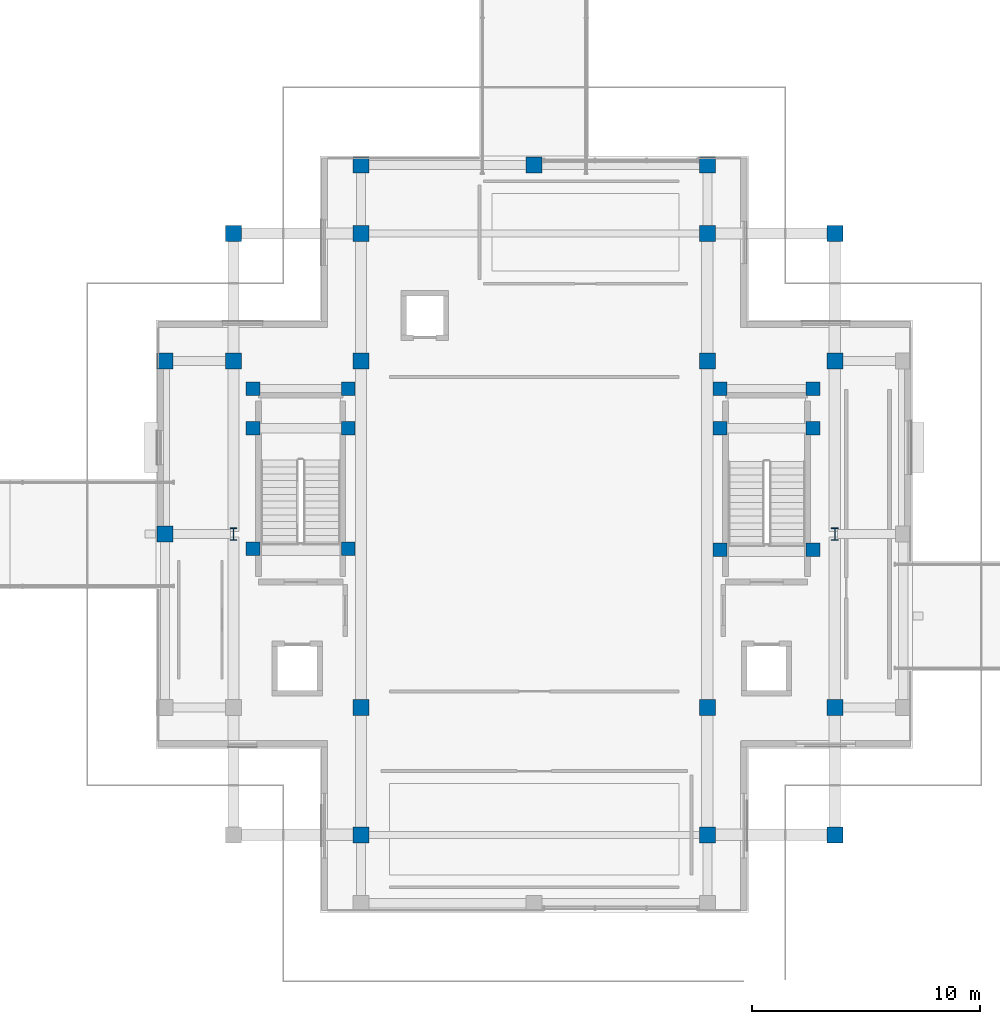
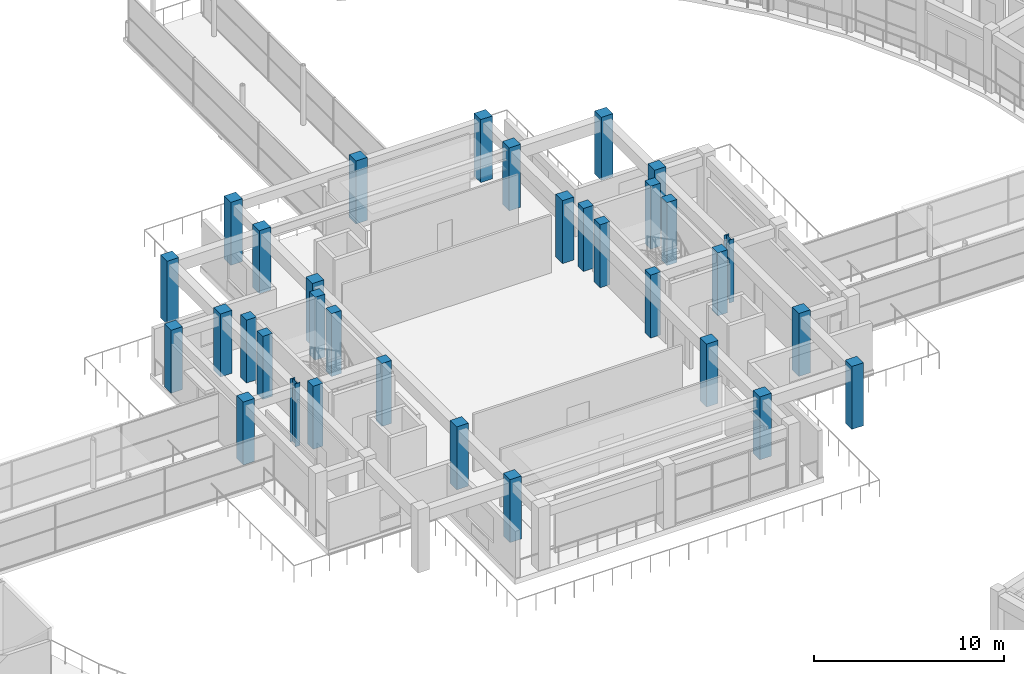
# One storey, part 3 of 53: 33 columns.
"""IFC4 building model written with IfcOpenShell, lengths in metres."""

from ifc_helpers import new_model, si_unit, direction, frame, origin, origin_2d, place, context, subcontext, project, spatial, rectangle, i_section, extrude, material, material_profile, profile_set, type_object, element, save


model = new_model("IFC4")

# Units and contexts
model_context = context("Model", 3, precision=1e-05, world=origin(), true_north=direction((0.0, 1.0)))
body_context = subcontext(model_context, "Body", "Model", "MODEL_VIEW")
ifc_project = project(units=[si_unit("LENGTHUNIT", "METRE"), si_unit("AREAUNIT", "SQUARE_METRE"), si_unit("VOLUMEUNIT", "CUBIC_METRE"), si_unit("PLANEANGLEUNIT", "RADIAN"), si_unit("MASSUNIT", "GRAM", prefix="KILO")], contexts=[model_context])

# Site, building, storey
site_placement = place(None, origin())
site = spatial("IfcSite", under=ifc_project, at=site_placement, CompositionType="ELEMENT")
building_placement = place(site_placement, origin())
building = spatial("IfcBuilding", under=site, at=building_placement, Name="Saryqyr Civic Hall", CompositionType="ELEMENT")
storey_placement = place(building_placement, frame((0.0, 0.0, 21.300048828125)))
storey = spatial("IfcBuildingStorey", under=building, at=storey_placement, Name="L05", CompositionType="ELEMENT", Elevation=21.300048828125)

# Columns
ifc_material_1 = material(Name="Steel S355", Category="steel")
ifc_material_profile_1 = material_profile(ifc_material_1, i_section(OverallWidth=0.300048828125, OverallDepth=0.550048828125, WebThickness=0.014892578125, FlangeThickness=0.029052734375, at=origin_2d()), Name="HEB 550")
ifc_profile_set_1 = profile_set([ifc_material_profile_1], Name="Steel S355")
column_type_1 = type_object("IfcColumnType", Name="STR-COL-HEB550-S355", PredefinedType="COLUMN", material=ifc_profile_set_1)
for number, where, z_axis, x_axis, name in (
    (1, (43.800048828125, 84.0, 0.0), (0.0, 0.0, 1.0), (1.0, 0.0, 0.0), "Column V1-GCOL-W-L05"),
    (2, (70.199951171875, 84.0, 0.0), (0.0, 0.0, 1.0), (1.0, 0.0, 0.0), "Column V1-GCOL-E-L05"),
):
    element("IfcColumn", number, at=place(storey_placement, frame(where, z_axis=z_axis, x_axis=x_axis)), inside=storey, type_object=column_type_1, Name=name, PredefinedType="COLUMN", context=body_context, shape_type="SweptSolid", body=[
        extrude(i_section(OverallWidth=0.300048828125, OverallDepth=0.550048828125, WebThickness=0.014892578125, FlangeThickness=0.029052734375, at=origin_2d()), origin(), (0.0, 0.0, 1.0), 4.050048828125),
    ])
ifc_material_2 = material(Name="Concrete C40/50", Category="concrete")
ifc_material_profile_2 = material_profile(ifc_material_2, rectangle(XDim=0.60009765625, YDim=0.60009765625, at=origin_2d()), Name="RC 600x600")
ifc_profile_set_2 = profile_set([ifc_material_profile_2], Name="Concrete C40/50")
column_type_2 = type_object("IfcColumnType", Name="STR-COL-RC600-C40", PredefinedType="COLUMN", material=ifc_profile_set_2)
for number, where, z_axis, x_axis, name in (
    (3, (48.840087890625, 83.364990234375, 0.0), (0.0, 0.0, 1.0), (1.0, 0.0, 0.0), "Column ST-1-SCOL-TRMA-L05"),
    (4, (44.659912109375, 83.364990234375, 0.0), (0.0, 0.0, 1.0), (1.0, 0.0, 0.0), "Column ST-1-SCOL-TRMB-L05"),
    (5, (48.840087890625, 88.64990234375, 0.0), (0.0, 0.0, 1.0), (1.0, 0.0, 0.0), "Column ST-1-SCOL-LND1A-L05"),
    (6, (44.659912109375, 88.64990234375, 0.0), (0.0, 0.0, 1.0), (1.0, 0.0, 0.0), "Column ST-1-SCOL-LND1B-L05"),
    (7, (48.840087890625, 90.3798828125, 0.0), (0.0, 0.0, 1.0), (1.0, 0.0, 0.0), "Column ST-1-SCOL-LND2A-L05"),
    (8, (44.659912109375, 90.3798828125, 0.0), (0.0, 0.0, 1.0), (1.0, 0.0, 0.0), "Column ST-1-SCOL-LND2B-L05"),
    (9, (69.239990234375, 83.31494140625, 0.0), (0.0, 0.0, 1.0), (1.0, 0.0, 0.0), "Column ST-2-SCOL-TRMA-L05"),
    (10, (65.159912109375, 83.31494140625, 0.0), (0.0, 0.0, 1.0), (1.0, 0.0, 0.0), "Column ST-2-SCOL-TRMB-L05"),
    (11, (69.239990234375, 88.64990234375, 0.0), (0.0, 0.0, 1.0), (1.0, 0.0, 0.0), "Column ST-2-SCOL-LND1A-L05"),
    (12, (65.159912109375, 88.64990234375, 0.0), (0.0, 0.0, 1.0), (1.0, 0.0, 0.0), "Column ST-2-SCOL-LND1B-L05"),
    (13, (69.239990234375, 90.3798828125, 0.0), (0.0, 0.0, 1.0), (1.0, 0.0, 0.0), "Column ST-2-SCOL-LND2A-L05"),
    (14, (65.159912109375, 90.3798828125, 0.0), (0.0, 0.0, 1.0), (1.0, 0.0, 0.0), "Column ST-2-SCOL-LND2B-L05"),
):
    element("IfcColumn", number, at=place(storey_placement, frame(where, z_axis=z_axis, x_axis=x_axis)), inside=storey, type_object=column_type_2, Name=name, PredefinedType="COLUMN", context=body_context, shape_type="SweptSolid", body=[
        extrude(rectangle(XDim=0.60009765625, YDim=0.60009765625, at=origin_2d()), origin(), (0.0, 0.0, 1.0), 4.050048828125),
    ])
ifc_material_profile_3 = material_profile(ifc_material_2, rectangle(XDim=0.699951171875, YDim=0.699951171875, at=origin_2d()), Name="RC 700x700")
ifc_profile_set_3 = profile_set([ifc_material_profile_3], Name="Concrete C40/50")
column_type_3 = type_object("IfcColumnType", Name="STR-COL-RC700-C40", PredefinedType="COLUMN", material=ifc_profile_set_3)
for number, where, z_axis, x_axis, name in (
    (15, (43.800048828125, 91.60009765625, 0.0), (0.0, 0.0, 1.0), (1.0, 0.0, 0.0), "Column V1-COL-C13-L05"),
    (16, (43.800048828125, 97.199951171875, 0.0), (0.0, 0.0, 1.0), (1.0, 0.0, 0.0), "Column V1-COL-C14-L05"),
    (17, (49.39990234375, 70.800048828125, 0.0), (0.0, 0.0, 1.0), (1.0, 0.0, 0.0), "Column V1-COL-C21-L05"),
    (18, (49.39990234375, 76.39990234375, 0.0), (0.0, 0.0, 1.0), (1.0, 0.0, 0.0), "Column V1-COL-C22-L05"),
    (19, (49.39990234375, 91.60009765625, 0.0), (0.0, 0.0, 1.0), (1.0, 0.0, 0.0), "Column V1-COL-C23-L05"),
    (20, (49.39990234375, 97.199951171875, 0.0), (0.0, 0.0, 1.0), (1.0, 0.0, 0.0), "Column V1-COL-C24-L05"),
    (21, (64.60009765625, 70.800048828125, 0.0), (0.0, 0.0, 1.0), (1.0, 0.0, 0.0), "Column V1-COL-C31-L05"),
    (22, (64.60009765625, 76.39990234375, 0.0), (0.0, 0.0, 1.0), (1.0, 0.0, 0.0), "Column V1-COL-C32-L05"),
    (23, (64.60009765625, 91.60009765625, 0.0), (0.0, 0.0, 1.0), (1.0, 0.0, 0.0), "Column V1-COL-C33-L05"),
    (24, (64.60009765625, 97.199951171875, 0.0), (0.0, 0.0, 1.0), (1.0, 0.0, 0.0), "Column V1-COL-C34-L05"),
    (25, (70.199951171875, 70.800048828125, 0.0), (0.0, 0.0, 1.0), (1.0, 0.0, 0.0), "Column V1-COL-C41-L05"),
    (26, (70.199951171875, 76.39990234375, 0.0), (0.0, 0.0, 1.0), (1.0, 0.0, 0.0), "Column V1-COL-C42-L05"),
    (27, (70.199951171875, 91.60009765625, 0.0), (0.0, 0.0, 1.0), (1.0, 0.0, 0.0), "Column V1-COL-C43-L05"),
    (28, (70.199951171875, 97.199951171875, 0.0), (0.0, 0.0, 1.0), (1.0, 0.0, 0.0), "Column V1-COL-C44-L05"),
    (29, (40.800048828125, 84.0, 0.0), (0.0, 0.0, 1.0), (1.0, 0.0, 0.0), "Column V1-COL-S3P02-L05"),
    (30, (40.800048828125, 91.60009765625, 0.0), (0.0, 0.0, 1.0), (1.0, 0.0, 0.0), "Column V1-COL-S3P03-L05"),
    (31, (49.39990234375, 100.199951171875, 0.0), (0.0, 0.0, 1.0), (1.0, 0.0, 0.0), "Column V1-COL-S3P10-L05"),
    (32, (57.0, 100.199951171875, 0.0), (0.0, 0.0, 1.0), (1.0, 0.0, 0.0), "Column V1-COL-S3P11-L05"),
    (33, (64.60009765625, 100.199951171875, 0.0), (0.0, 0.0, 1.0), (1.0, 0.0, 0.0), "Column V1-COL-S3P12-L05"),
):
    element("IfcColumn", number, at=place(storey_placement, frame(where, z_axis=z_axis, x_axis=x_axis)), inside=storey, type_object=column_type_3, Name=name, PredefinedType="COLUMN", context=body_context, shape_type="SweptSolid", body=[
        extrude(rectangle(XDim=0.699951171875, YDim=0.699951171875, at=origin_2d()), origin(), (0.0, 0.0, 1.0), 4.050048828125),
    ])

save(model, "model.ifc")
